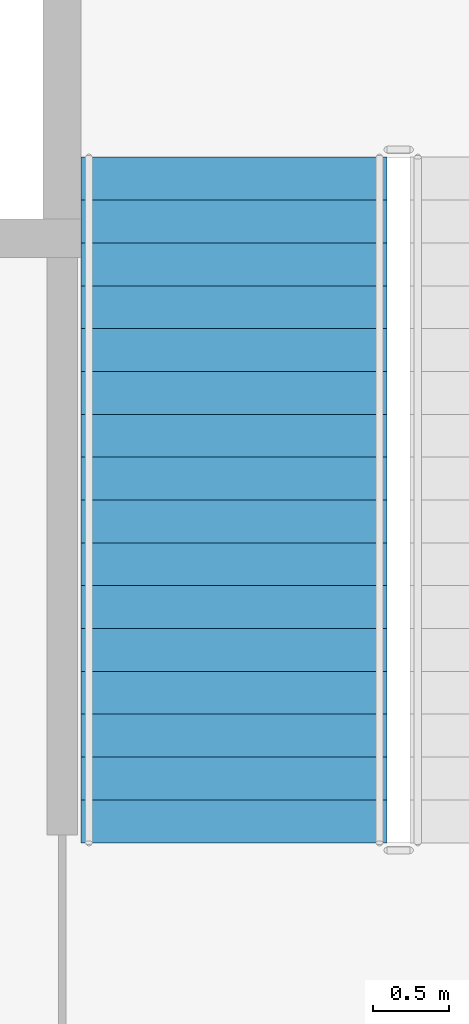
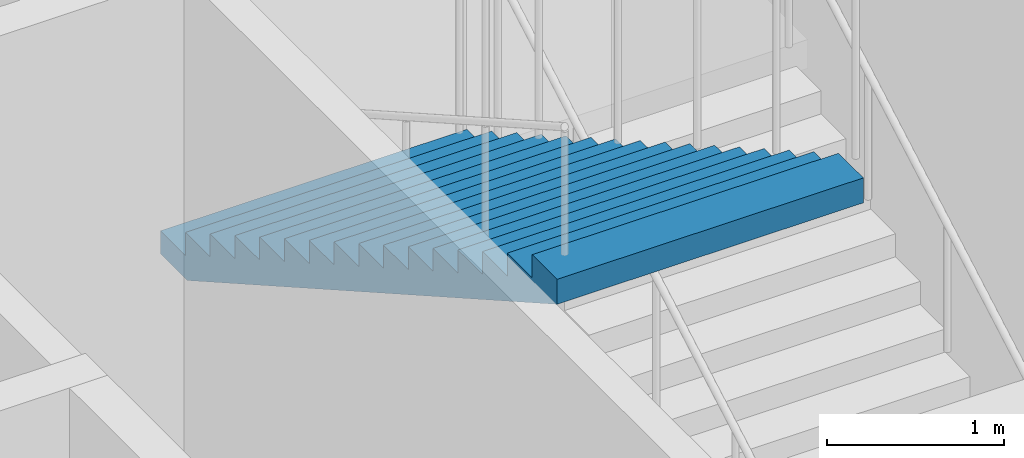
# One storey, part 16 of 18: 1 stair flight, 1 element without a shape of its own.
"""IFC4 building model written with IfcOpenShell, lengths in metres."""

from ifc_helpers import new_model, si_unit, direction, frame, origin, place, context, subcontext, project, spatial, polygons, material, type_object, element, aggregate, save


model = new_model("IFC4")

# Units and contexts
model_context = context("Model", 3, precision=1e-05, world=origin(), true_north=direction((0.0, 1.0)))
body_context = subcontext(model_context, "Body", "Model", "MODEL_VIEW")
ifc_project = project(units=[si_unit("LENGTHUNIT", "METRE"), si_unit("AREAUNIT", "SQUARE_METRE"), si_unit("VOLUMEUNIT", "CUBIC_METRE"), si_unit("PLANEANGLEUNIT", "RADIAN"), si_unit("MASSUNIT", "GRAM", prefix="KILO")], contexts=[model_context])

# Site, building, storey
site_placement = place(None, origin())
site = spatial("IfcSite", under=ifc_project, at=site_placement, CompositionType="ELEMENT")
building_placement = place(site_placement, origin())
building = spatial("IfcBuilding", under=site, at=building_placement, Name="Caravel Reach Hotel and Residences", CompositionType="ELEMENT")
storey_placement = place(building_placement, frame((0.0, 0.0, 145.199951171875)))
storey = spatial("IfcBuildingStorey", under=building, at=storey_placement, Name="L36", CompositionType="ELEMENT", Elevation=145.199951171875)

# Stair, stair flight
ifc_material_1 = material(Name="Concrete C40", Category="concrete")
stair_type = type_object("IfcStairType", Name="Core stair", PredefinedType="HALF_TURN_STAIR", material=ifc_material_1)
stair_placement = place(storey_placement, origin())
stair = element("IfcStair", 1, at=stair_placement, inside=storey, type_object=stair_type, Name="L36 Exit stair B", PredefinedType="HALF_TURN_STAIR")
ifc_material_2 = material(Name="Concrete C40", Category="concrete")
stair_flight_type = type_object("IfcStairFlightType", Name="Core stair flight", PredefinedType="STRAIGHT", material=ifc_material_2)
stair_flight_placement = place(storey_placement, frame((41.625, 29.1298828125, 2.699951171875), z_axis=(0.0, 0.0, 1.0), x_axis=(0.0, -1.0, 0.0)))
stair_flight = element("IfcStairFlight", 2, at=stair_flight_placement, type_object=stair_flight_type, Name="ST-B flight 2", NumberOfRisers=17, NumberOfTreads=16, PredefinedType="STRAIGHT", RiserHeight=0.158823529, TreadLength=0.28, context=body_context, shape_type="Tessellation", body=[
    polygons([(0.30382651472380307, 1.0, 0.0), (0.30382651472380307, 0.6666666666666667, 0.0), (0.30382651472380307, 0.33333333333333337, 0.0), (0.30382651472380307, 0.0, 0.0), (0.30382651472380307, -0.33333333333333326, 0.0), (0.30382651472380307, -0.6666666666666667, 0.0), (0.30382651472380307, -1.0, 0.0), (4.481000000000001, 1.0, 2.3688378951706968), (4.481000000000001, 0.6666666666666667, 2.3688378951706968), (4.481000000000001, 0.33333333333333337, 2.3688378951706968), (4.481000000000001, 0.0, 2.3688378951706968), (4.481000000000001, -0.33333333333333326, 2.3688378951706968), (4.481000000000001, -0.6666666666666667, 2.3688378951706968), (4.481000000000001, -1.0, 2.3688378951706968), (4.481000000000001, 1.0, 2.541176464), (4.481000000000001, 0.6666666666666667, 2.541176464), (4.481000000000001, 0.33333333333333337, 2.541176464), (4.481000000000001, 0.0, 2.541176464), (4.481000000000001, -0.33333333333333326, 2.541176464), (4.481000000000001, -0.6666666666666667, 2.541176464), (4.481000000000001, -1.0, 2.541176464), (4.2, 1.0, 2.541176464), (4.2, 0.6666666666666667, 2.541176464), (4.2, 0.33333333333333337, 2.541176464), (4.2, 0.0, 2.541176464), (4.2, -0.33333333333333326, 2.541176464), (4.2, -0.6666666666666667, 2.541176464), (4.2, -1.0, 2.541176464), (4.2, 1.0, 2.3823529349999997), (4.2, 0.6666666666666667, 2.3823529349999997), (4.2, 0.33333333333333337, 2.3823529349999997), (4.2, 0.0, 2.3823529349999997), (4.2, -0.33333333333333326, 2.3823529349999997), (4.2, -0.6666666666666667, 2.3823529349999997), (4.2, -1.0, 2.3823529349999997), (3.9200000000000004, 1.0, 2.3823529349999997), (3.9200000000000004, 0.6666666666666667, 2.3823529349999997), (3.9200000000000004, 0.33333333333333337, 2.3823529349999997), (3.9200000000000004, 0.0, 2.3823529349999997), (3.9200000000000004, -0.33333333333333326, 2.3823529349999997), (3.9200000000000004, -0.6666666666666667, 2.3823529349999997), (3.9200000000000004, -1.0, 2.3823529349999997), (3.9200000000000004, 1.0, 2.223529406), (3.9200000000000004, 0.6666666666666667, 2.223529406), (3.9200000000000004, 0.33333333333333337, 2.223529406), (3.9200000000000004, 0.0, 2.223529406), (3.9200000000000004, -0.33333333333333326, 2.223529406), (3.9200000000000004, -0.6666666666666667, 2.223529406), (3.9200000000000004, -1.0, 2.223529406), (3.6400000000000006, 1.0, 2.223529406), (3.6400000000000006, 0.6666666666666667, 2.223529406), (3.6400000000000006, 0.33333333333333337, 2.223529406), (3.6400000000000006, 0.0, 2.223529406), (3.6400000000000006, -0.33333333333333326, 2.223529406), (3.6400000000000006, -0.6666666666666667, 2.223529406), (3.6400000000000006, -1.0, 2.223529406), (3.6400000000000006, 1.0, 2.0647058769999997), (3.6400000000000006, 0.6666666666666667, 2.0647058769999997), (3.6400000000000006, 0.33333333333333337, 2.0647058769999997), (3.6400000000000006, 0.0, 2.0647058769999997), (3.6400000000000006, -0.33333333333333326, 2.0647058769999997), (3.6400000000000006, -0.6666666666666667, 2.0647058769999997), (3.6400000000000006, -1.0, 2.0647058769999997), (3.3600000000000003, 1.0, 2.0647058769999997), (3.3600000000000003, 0.6666666666666667, 2.0647058769999997), (3.3600000000000003, 0.33333333333333337, 2.0647058769999997), (3.3600000000000003, 0.0, 2.0647058769999997), (3.3600000000000003, -0.33333333333333326, 2.0647058769999997), (3.3600000000000003, -0.6666666666666667, 2.0647058769999997), (3.3600000000000003, -1.0, 2.0647058769999997), (3.3600000000000003, 1.0, 1.905882348), (3.3600000000000003, 0.6666666666666667, 1.905882348), (3.3600000000000003, 0.33333333333333337, 1.905882348), (3.3600000000000003, 0.0, 1.905882348), (3.3600000000000003, -0.33333333333333326, 1.905882348), (3.3600000000000003, -0.6666666666666667, 1.905882348), (3.3600000000000003, -1.0, 1.905882348), (3.08, 1.0, 1.905882348), (3.08, 0.6666666666666667, 1.905882348), (3.08, 0.33333333333333337, 1.905882348), (3.08, 0.0, 1.905882348), (3.08, -0.33333333333333326, 1.905882348), (3.08, -0.6666666666666667, 1.905882348), (3.08, -1.0, 1.905882348), (3.08, 1.0, 1.7470588189999998), (3.08, 0.6666666666666667, 1.7470588189999998), (3.08, 0.33333333333333337, 1.7470588189999998), (3.08, 0.0, 1.7470588189999998), (3.08, -0.33333333333333326, 1.7470588189999998), (3.08, -0.6666666666666667, 1.7470588189999998), (3.08, -1.0, 1.7470588189999998), (2.8000000000000003, 1.0, 1.7470588189999998), (2.8000000000000003, 0.6666666666666667, 1.7470588189999998), (2.8000000000000003, 0.33333333333333337, 1.7470588189999998), (2.8000000000000003, 0.0, 1.7470588189999998), (2.8000000000000003, -0.33333333333333326, 1.7470588189999998), (2.8000000000000003, -0.6666666666666667, 1.7470588189999998), (2.8000000000000003, -1.0, 1.7470588189999998), (2.8000000000000003, 1.0, 1.5882352899999999), (2.8000000000000003, 0.6666666666666667, 1.5882352899999999), (2.8000000000000003, 0.33333333333333337, 1.5882352899999999), (2.8000000000000003, 0.0, 1.5882352899999999), (2.8000000000000003, -0.33333333333333326, 1.5882352899999999), (2.8000000000000003, -0.6666666666666667, 1.5882352899999999), (2.8000000000000003, -1.0, 1.5882352899999999), (2.5200000000000005, 1.0, 1.5882352899999999), (2.5200000000000005, 0.6666666666666667, 1.5882352899999999), (2.5200000000000005, 0.33333333333333337, 1.5882352899999999), (2.5200000000000005, 0.0, 1.5882352899999999), (2.5200000000000005, -0.33333333333333326, 1.5882352899999999), (2.5200000000000005, -0.6666666666666667, 1.5882352899999999), (2.5200000000000005, -1.0, 1.5882352899999999), (2.5200000000000005, 1.0, 1.429411761), (2.5200000000000005, 0.6666666666666667, 1.429411761), (2.5200000000000005, 0.33333333333333337, 1.429411761), (2.5200000000000005, 0.0, 1.429411761), (2.5200000000000005, -0.33333333333333326, 1.429411761), (2.5200000000000005, -0.6666666666666667, 1.429411761), (2.5200000000000005, -1.0, 1.429411761), (2.24, 1.0, 1.429411761), (2.24, 0.6666666666666667, 1.429411761), (2.24, 0.33333333333333337, 1.429411761), (2.24, 0.0, 1.429411761), (2.24, -0.33333333333333326, 1.429411761), (2.24, -0.6666666666666667, 1.429411761), (2.24, -1.0, 1.429411761), (2.24, 1.0, 1.270588232), (2.24, 0.6666666666666667, 1.270588232), (2.24, 0.33333333333333337, 1.270588232), (2.24, 0.0, 1.270588232), (2.24, -0.33333333333333326, 1.270588232), (2.24, -0.6666666666666667, 1.270588232), (2.24, -1.0, 1.270588232), (1.9600000000000002, 1.0, 1.270588232), (1.9600000000000002, 0.6666666666666667, 1.270588232), (1.9600000000000002, 0.33333333333333337, 1.270588232), (1.9600000000000002, 0.0, 1.270588232), (1.9600000000000002, -0.33333333333333326, 1.270588232), (1.9600000000000002, -0.6666666666666667, 1.270588232), (1.9600000000000002, -1.0, 1.270588232), (1.9600000000000002, 1.0, 1.111764703), (1.9600000000000002, 0.6666666666666667, 1.111764703), (1.9600000000000002, 0.33333333333333337, 1.111764703), (1.9600000000000002, 0.0, 1.111764703), (1.9600000000000002, -0.33333333333333326, 1.111764703), (1.9600000000000002, -0.6666666666666667, 1.111764703), (1.9600000000000002, -1.0, 1.111764703), (1.6800000000000002, 1.0, 1.111764703), (1.6800000000000002, 0.6666666666666667, 1.111764703), (1.6800000000000002, 0.33333333333333337, 1.111764703), (1.6800000000000002, 0.0, 1.111764703), (1.6800000000000002, -0.33333333333333326, 1.111764703), (1.6800000000000002, -0.6666666666666667, 1.111764703), (1.6800000000000002, -1.0, 1.111764703), (1.6800000000000002, 1.0, 0.952941174), (1.6800000000000002, 0.6666666666666667, 0.952941174), (1.6800000000000002, 0.33333333333333337, 0.952941174), (1.6800000000000002, 0.0, 0.952941174), (1.6800000000000002, -0.33333333333333326, 0.952941174), (1.6800000000000002, -0.6666666666666667, 0.952941174), (1.6800000000000002, -1.0, 0.952941174), (1.4000000000000001, 1.0, 0.952941174), (1.4000000000000001, 0.6666666666666667, 0.952941174), (1.4000000000000001, 0.33333333333333337, 0.952941174), (1.4000000000000001, 0.0, 0.952941174), (1.4000000000000001, -0.33333333333333326, 0.952941174), (1.4000000000000001, -0.6666666666666667, 0.952941174), (1.4000000000000001, -1.0, 0.952941174), (1.4000000000000001, 1.0, 0.7941176449999999), (1.4000000000000001, 0.6666666666666667, 0.7941176449999999), (1.4000000000000001, 0.33333333333333337, 0.7941176449999999), (1.4000000000000001, 0.0, 0.7941176449999999), (1.4000000000000001, -0.33333333333333326, 0.7941176449999999), (1.4000000000000001, -0.6666666666666667, 0.7941176449999999), (1.4000000000000001, -1.0, 0.7941176449999999), (1.12, 1.0, 0.7941176449999999), (1.12, 0.6666666666666667, 0.7941176449999999), (1.12, 0.33333333333333337, 0.7941176449999999), (1.12, 0.0, 0.7941176449999999), (1.12, -0.33333333333333326, 0.7941176449999999), (1.12, -0.6666666666666667, 0.7941176449999999), (1.12, -1.0, 0.7941176449999999), (1.12, 1.0, 0.635294116), (1.12, 0.6666666666666667, 0.635294116), (1.12, 0.33333333333333337, 0.635294116), (1.12, 0.0, 0.635294116), (1.12, -0.33333333333333326, 0.635294116), (1.12, -0.6666666666666667, 0.635294116), (1.12, -1.0, 0.635294116), (0.8400000000000001, 1.0, 0.635294116), (0.8400000000000001, 0.6666666666666667, 0.635294116), (0.8400000000000001, 0.33333333333333337, 0.635294116), (0.8400000000000001, 0.0, 0.635294116), (0.8400000000000001, -0.33333333333333326, 0.635294116), (0.8400000000000001, -0.6666666666666667, 0.635294116), (0.8400000000000001, -1.0, 0.635294116), (0.8400000000000001, 1.0, 0.476470587), (0.8400000000000001, 0.6666666666666667, 0.476470587), (0.8400000000000001, 0.33333333333333337, 0.476470587), (0.8400000000000001, 0.0, 0.476470587), (0.8400000000000001, -0.33333333333333326, 0.476470587), (0.8400000000000001, -0.6666666666666667, 0.476470587), (0.8400000000000001, -1.0, 0.476470587), (0.56, 1.0, 0.476470587), (0.56, 0.6666666666666667, 0.476470587), (0.56, 0.33333333333333337, 0.476470587), (0.56, 0.0, 0.476470587), (0.56, -0.33333333333333326, 0.476470587), (0.56, -0.6666666666666667, 0.476470587), (0.56, -1.0, 0.476470587), (0.56, 1.0, 0.317647058), (0.56, 0.6666666666666667, 0.317647058), (0.56, 0.33333333333333337, 0.317647058), (0.56, 0.0, 0.317647058), (0.56, -0.33333333333333326, 0.317647058), (0.56, -0.6666666666666667, 0.317647058), (0.56, -1.0, 0.317647058), (0.28, 1.0, 0.317647058), (0.28, 0.6666666666666667, 0.317647058), (0.28, 0.33333333333333337, 0.317647058), (0.28, 0.0, 0.317647058), (0.28, -0.33333333333333326, 0.317647058), (0.28, -0.6666666666666667, 0.317647058), (0.28, -1.0, 0.317647058), (0.28, 1.0, 0.158823529), (0.28, 0.6666666666666667, 0.158823529), (0.28, 0.33333333333333337, 0.158823529), (0.28, 0.0, 0.158823529), (0.28, -0.33333333333333326, 0.158823529), (0.28, -0.6666666666666667, 0.158823529), (0.28, -1.0, 0.158823529), (-0.001, 1.0, 0.158823529), (-0.001, 0.6666666666666667, 0.158823529), (-0.001, 0.33333333333333337, 0.158823529), (-0.001, 0.0, 0.158823529), (-0.001, -0.33333333333333326, 0.158823529), (-0.001, -0.6666666666666667, 0.158823529), (-0.001, -1.0, 0.158823529), (-0.001, 1.0, 0.0), (-0.001, 0.6666666666666667, 0.0), (-0.001, 0.33333333333333337, 0.0), (-0.001, 0.0, 0.0), (-0.001, -0.33333333333333326, 0.0), (-0.001, -0.6666666666666667, 0.0), (-0.001, -1.0, 0.0)], [[[239, 232, 225, 218, 211, 204, 197, 190, 183, 176, 169, 162, 155, 148, 141, 134, 127, 120, 113, 106, 99, 92, 85, 78, 71, 64, 57, 50, 43, 36, 29, 22, 15, 8, 1]], [[7, 14, 21, 28, 35, 42, 49, 56, 63, 70, 77, 84, 91, 98, 105, 112, 119, 126, 133, 140, 147, 154, 161, 168, 175, 182, 189, 196, 203, 210, 217, 224, 231, 238, 245]], [[1, 8, 9, 2]], [[2, 9, 10, 3]], [[3, 10, 11, 4]], [[4, 11, 12, 5]], [[5, 12, 13, 6]], [[6, 13, 14, 7]], [[8, 15, 16, 9]], [[9, 16, 17, 10]], [[10, 17, 18, 11]], [[11, 18, 19, 12]], [[12, 19, 20, 13]], [[13, 20, 21, 14]], [[15, 22, 23, 16]], [[16, 23, 24, 17]], [[17, 24, 25, 18]], [[18, 25, 26, 19]], [[19, 26, 27, 20]], [[20, 27, 28, 21]], [[22, 29, 30, 23]], [[23, 30, 31, 24]], [[24, 31, 32, 25]], [[25, 32, 33, 26]], [[26, 33, 34, 27]], [[27, 34, 35, 28]], [[29, 36, 37, 30]], [[30, 37, 38, 31]], [[31, 38, 39, 32]], [[32, 39, 40, 33]], [[33, 40, 41, 34]], [[34, 41, 42, 35]], [[36, 43, 44, 37]], [[37, 44, 45, 38]], [[38, 45, 46, 39]], [[39, 46, 47, 40]], [[40, 47, 48, 41]], [[41, 48, 49, 42]], [[43, 50, 51, 44]], [[44, 51, 52, 45]], [[45, 52, 53, 46]], [[46, 53, 54, 47]], [[47, 54, 55, 48]], [[48, 55, 56, 49]], [[50, 57, 58, 51]], [[51, 58, 59, 52]], [[52, 59, 60, 53]], [[53, 60, 61, 54]], [[54, 61, 62, 55]], [[55, 62, 63, 56]], [[57, 64, 65, 58]], [[58, 65, 66, 59]], [[59, 66, 67, 60]], [[60, 67, 68, 61]], [[61, 68, 69, 62]], [[62, 69, 70, 63]], [[64, 71, 72, 65]], [[65, 72, 73, 66]], [[66, 73, 74, 67]], [[67, 74, 75, 68]], [[68, 75, 76, 69]], [[69, 76, 77, 70]], [[71, 78, 79, 72]], [[72, 79, 80, 73]], [[73, 80, 81, 74]], [[74, 81, 82, 75]], [[75, 82, 83, 76]], [[76, 83, 84, 77]], [[78, 85, 86, 79]], [[79, 86, 87, 80]], [[80, 87, 88, 81]], [[81, 88, 89, 82]], [[82, 89, 90, 83]], [[83, 90, 91, 84]], [[85, 92, 93, 86]], [[86, 93, 94, 87]], [[87, 94, 95, 88]], [[88, 95, 96, 89]], [[89, 96, 97, 90]], [[90, 97, 98, 91]], [[92, 99, 100, 93]], [[93, 100, 101, 94]], [[94, 101, 102, 95]], [[95, 102, 103, 96]], [[96, 103, 104, 97]], [[97, 104, 105, 98]], [[99, 106, 107, 100]], [[100, 107, 108, 101]], [[101, 108, 109, 102]], [[102, 109, 110, 103]], [[103, 110, 111, 104]], [[104, 111, 112, 105]], [[106, 113, 114, 107]], [[107, 114, 115, 108]], [[108, 115, 116, 109]], [[109, 116, 117, 110]], [[110, 117, 118, 111]], [[111, 118, 119, 112]], [[113, 120, 121, 114]], [[114, 121, 122, 115]], [[115, 122, 123, 116]], [[116, 123, 124, 117]], [[117, 124, 125, 118]], [[118, 125, 126, 119]], [[120, 127, 128, 121]], [[121, 128, 129, 122]], [[122, 129, 130, 123]], [[123, 130, 131, 124]], [[124, 131, 132, 125]], [[125, 132, 133, 126]], [[127, 134, 135, 128]], [[128, 135, 136, 129]], [[129, 136, 137, 130]], [[130, 137, 138, 131]], [[131, 138, 139, 132]], [[132, 139, 140, 133]], [[134, 141, 142, 135]], [[135, 142, 143, 136]], [[136, 143, 144, 137]], [[137, 144, 145, 138]], [[138, 145, 146, 139]], [[139, 146, 147, 140]], [[141, 148, 149, 142]], [[142, 149, 150, 143]], [[143, 150, 151, 144]], [[144, 151, 152, 145]], [[145, 152, 153, 146]], [[146, 153, 154, 147]], [[148, 155, 156, 149]], [[149, 156, 157, 150]], [[150, 157, 158, 151]], [[151, 158, 159, 152]], [[152, 159, 160, 153]], [[153, 160, 161, 154]], [[155, 162, 163, 156]], [[156, 163, 164, 157]], [[157, 164, 165, 158]], [[158, 165, 166, 159]], [[159, 166, 167, 160]], [[160, 167, 168, 161]], [[162, 169, 170, 163]], [[163, 170, 171, 164]], [[164, 171, 172, 165]], [[165, 172, 173, 166]], [[166, 173, 174, 167]], [[167, 174, 175, 168]], [[169, 176, 177, 170]], [[170, 177, 178, 171]], [[171, 178, 179, 172]], [[172, 179, 180, 173]], [[173, 180, 181, 174]], [[174, 181, 182, 175]], [[176, 183, 184, 177]], [[177, 184, 185, 178]], [[178, 185, 186, 179]], [[179, 186, 187, 180]], [[180, 187, 188, 181]], [[181, 188, 189, 182]], [[183, 190, 191, 184]], [[184, 191, 192, 185]], [[185, 192, 193, 186]], [[186, 193, 194, 187]], [[187, 194, 195, 188]], [[188, 195, 196, 189]], [[190, 197, 198, 191]], [[191, 198, 199, 192]], [[192, 199, 200, 193]], [[193, 200, 201, 194]], [[194, 201, 202, 195]], [[195, 202, 203, 196]], [[197, 204, 205, 198]], [[198, 205, 206, 199]], [[199, 206, 207, 200]], [[200, 207, 208, 201]], [[201, 208, 209, 202]], [[202, 209, 210, 203]], [[204, 211, 212, 205]], [[205, 212, 213, 206]], [[206, 213, 214, 207]], [[207, 214, 215, 208]], [[208, 215, 216, 209]], [[209, 216, 217, 210]], [[211, 218, 219, 212]], [[212, 219, 220, 213]], [[213, 220, 221, 214]], [[214, 221, 222, 215]], [[215, 222, 223, 216]], [[216, 223, 224, 217]], [[218, 225, 226, 219]], [[219, 226, 227, 220]], [[220, 227, 228, 221]], [[221, 228, 229, 222]], [[222, 229, 230, 223]], [[223, 230, 231, 224]], [[225, 232, 233, 226]], [[226, 233, 234, 227]], [[227, 234, 235, 228]], [[228, 235, 236, 229]], [[229, 236, 237, 230]], [[230, 237, 238, 231]], [[232, 239, 240, 233]], [[233, 240, 241, 234]], [[234, 241, 242, 235]], [[235, 242, 243, 236]], [[236, 243, 244, 237]], [[237, 244, 245, 238]], [[239, 1, 2, 240]], [[240, 2, 3, 241]], [[241, 3, 4, 242]], [[242, 4, 5, 243]], [[243, 5, 6, 244]], [[244, 6, 7, 245]]], closed=True),
])
aggregate(stair, [stair_flight])

save(model, "model.ifc")
